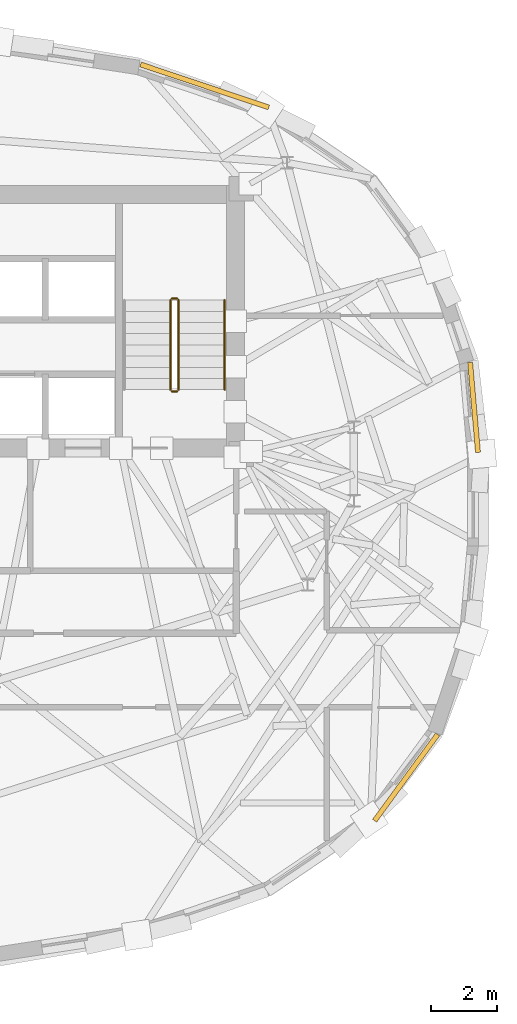
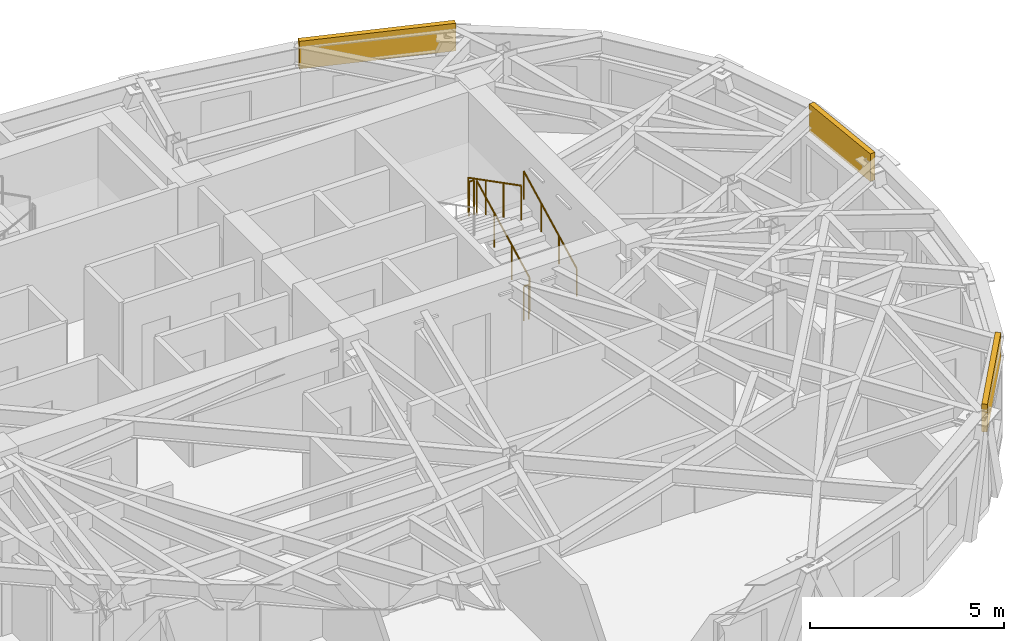
# One storey, part 12 of 12: 5 railings, 3 coverings.
"""IFC4 building model written with IfcOpenShell, lengths in metres."""

from ifc_helpers import new_model, si_unit, direction, frame, origin, origin_2d, place, context, subcontext, project, spatial, rectangle, circle, extrude, material, layer, layer_set, type_object, element, save


model = new_model("IFC4")

# Units and contexts
model_context = context("Model", 3, precision=1e-05, world=origin(), true_north=direction((0.0, 1.0)))
body_context = subcontext(model_context, "Body", "Model", "MODEL_VIEW")
ifc_project = project(units=[si_unit("LENGTHUNIT", "METRE"), si_unit("AREAUNIT", "SQUARE_METRE"), si_unit("VOLUMEUNIT", "CUBIC_METRE"), si_unit("PLANEANGLEUNIT", "RADIAN"), si_unit("MASSUNIT", "GRAM", prefix="KILO")], contexts=[model_context])

# Site, building, storey
site_placement = place(None, origin())
site = spatial("IfcSite", under=ifc_project, at=site_placement, CompositionType="ELEMENT")
building_placement = place(site_placement, origin())
building = spatial("IfcBuilding", under=site, at=building_placement, Name="Keldmark Tower", CompositionType="ELEMENT")
storey_placement = place(building_placement, frame((0.0, 0.0, 250.949951171875)))
storey = spatial("IfcBuildingStorey", under=building, at=storey_placement, Name="L71", CompositionType="ELEMENT", Elevation=250.949951171875)

# Coverings
ifc_material_1 = material(Name="Honed Kasota Buff Dolomitic Limestone", Category="masonry")
ifc_layer = layer(ifc_material_1, 0.074951171875)
ifc_layer_set = layer_set([ifc_layer], Name="Honed Kasota Buff Dolomitic Limestone")
covering_type = type_object("IfcCoveringType", Name="Kasota Buff Limestone Spandrel Cladding Band", PredefinedType="CLADDING", material=ifc_layer_set)
covering_1_placement = place(storey_placement, frame((20.67529296875, 2.813232421875, 2.260009765625), z_axis=(0.0, 0.0, 1.0), x_axis=(-0.086947098308, 0.996212930099, 0.0)))
element("IfcCovering", 1, at=covering_1_placement, inside=storey, type_object=covering_type, Name="L71 Kasota Limestone Spandrel Band 01", PredefinedType="CLADDING", context=body_context, shape_type="SweptSolid", body=[
    extrude(rectangle(XDim=2.743896484375, YDim=0.14990234375, at=origin_2d()), origin(), (0.0, 0.0, 1.0), 0.8701171875),
])
covering_2_placement = place(storey_placement, frame((12.494873046875, 12.575439453125, 2.260009765625), z_axis=(0.0, 0.0, 1.0), x_axis=(-0.948001964735, 0.318264473134, 0.0)))
element("IfcCovering", 2, at=covering_2_placement, inside=storey, type_object=covering_type, Name="L71 Kasota Limestone Spandrel Band 05", PredefinedType="CLADDING", context=body_context, shape_type="SweptSolid", body=[
    extrude(rectangle(XDim=4.107177734375, YDim=0.14990234375, at=origin_2d()), origin(), (0.0, 0.0, 1.0), 0.8701171875),
])
covering_3_placement = place(storey_placement, frame((18.6123046875, -8.4306640625, 2.260009765625), z_axis=(0.0, 0.0, 1.0), x_axis=(0.589746202085, 0.80758864351, 0.0)))
element("IfcCovering", 3, at=covering_3_placement, inside=storey, type_object=covering_type, Name="L71 Kasota Limestone Spandrel Band 29", PredefinedType="CLADDING", context=body_context, shape_type="SweptSolid", body=[
    extrude(rectangle(XDim=3.244384765625, YDim=0.14990234375, at=origin_2d()), origin(), (0.0, 0.0, 1.0), 0.8701171875),
])

# Railings
ifc_material_2 = material(Name="Painted Steel ASTM A500 Grade B", Category="steel")
railing_type_1 = type_object("IfcRailingType", Name="Painted Steel Stair Well Guard 1100 mm", PredefinedType="GUARDRAIL", material=ifc_material_2)
railing_1_placement = place(storey_placement, frame((11.699951171875, 3.35009765625, 0.175048828125)))
element("IfcRailing", 4, at=railing_1_placement, inside=storey, type_object=railing_type_1, Name="L71 ST2 stair guard 1", PredefinedType="GUARDRAIL", context=body_context, shape_type="SweptSolid", body=[
    extrude(circle(Radius=0.02392578125, at=origin_2d()), frame((0.0, 0.0, 1.076171875), z_axis=(0.0, 0.889146794209, 0.457622091194), x_axis=(-1.0, 0.0, 0.0)), (0.0, 0.0, 1.0), 3.05908203125),
    extrude(circle(Radius=0.02099609375, at=origin_2d()), origin(), (0.0, 0.0, 1.0), 1.052001953125),
    extrude(circle(Radius=0.02099609375, at=origin_2d()), frame((0.0, 0.90673828125, 0.466552734375)), (0.0, 0.0, 1.0), 1.052001953125),
    extrude(circle(Radius=0.02099609375, at=origin_2d()), frame((0.0, 1.813232421875, 0.933349609375)), (0.0, 0.0, 1.0), 1.052001953125),
    extrude(circle(Radius=0.02099609375, at=origin_2d()), frame((0.0, 2.719970703125, 1.39990234375)), (0.0, 0.0, 1.0), 1.052001953125),
])
railing_2_placement = place(storey_placement, frame((11.64990234375, 6.1201171875, 1.574951171875)))
element("IfcRailing", 5, at=railing_2_placement, inside=storey, type_object=railing_type_1, Name="L71 ST2 stair guard 2", PredefinedType="GUARDRAIL", context=body_context, shape_type="SweptSolid", body=[
    extrude(circle(Radius=0.02392578125, at=origin_2d()), frame((0.0, 0.0, 1.076171875), z_axis=(-1.0, 0.0, 0.0), x_axis=(0.0, -1.0, 0.0)), (0.0, 0.0, 1.0), 0.14990234375),
    extrude(circle(Radius=0.02099609375, at=origin_2d()), origin(), (0.0, 0.0, 1.0), 1.052001953125),
    extrude(circle(Radius=0.02099609375, at=origin_2d()), frame((-0.14990234375, 0.0, 0.0)), (0.0, 0.0, 1.0), 1.052001953125),
])
railing_3_placement = place(storey_placement, frame((11.449951171875, 6.070068359375, 1.75)))
element("IfcRailing", 6, at=railing_3_placement, inside=storey, type_object=railing_type_1, Name="L71 ST2 stair guard 3", PredefinedType="GUARDRAIL", context=body_context, shape_type="SweptSolid", body=[
    extrude(circle(Radius=0.02392578125, at=origin_2d()), frame((0.0, 0.0, 1.076171875), z_axis=(0.0, -0.889114319608, 0.457685182924), x_axis=(1.0, 0.0, 0.0)), (0.0, 0.0, 1.0), 3.05908203125),
    extrude(circle(Radius=0.02099609375, at=origin_2d()), origin(), (0.0, 0.0, 1.0), 1.052001953125),
    extrude(circle(Radius=0.02099609375, at=origin_2d()), frame((0.0, -0.90673828125, 0.466796875)), (0.0, 0.0, 1.0), 1.052001953125),
    extrude(circle(Radius=0.02099609375, at=origin_2d()), frame((0.0, -1.813232421875, 0.933349609375)), (0.0, 0.0, 1.0), 1.052001953125),
    extrude(circle(Radius=0.02099609375, at=origin_2d()), frame((0.0, -2.719970703125, 1.400146484375)), (0.0, 0.0, 1.0), 1.052001953125),
])
railing_4_placement = place(storey_placement, frame((11.64990234375, 3.300048828125, 0.0)))
element("IfcRailing", 7, at=railing_4_placement, inside=storey, type_object=railing_type_1, Name="L71 ST2 stair guard 4", PredefinedType="GUARDRAIL", context=body_context, shape_type="SweptSolid", body=[
    extrude(circle(Radius=0.02392578125, at=origin_2d()), frame((0.0, 0.0, 1.076171875), z_axis=(-1.0, 0.0, 0.0), x_axis=(0.0, -1.0, 0.0)), (0.0, 0.0, 1.0), 0.14990234375),
    extrude(circle(Radius=0.02099609375, at=origin_2d()), origin(), (0.0, 0.0, 1.0), 1.052001953125),
    extrude(circle(Radius=0.02099609375, at=origin_2d()), frame((-0.14990234375, 0.0, 0.0)), (0.0, 0.0, 1.0), 1.052001953125),
])
ifc_material_3 = material(Name="Stainless Steel AISI 316L", Category="steel")
railing_type_2 = type_object("IfcRailingType", Name="Stainless Steel Stair Handrail 900 mm", PredefinedType="HANDRAIL", material=ifc_material_3)
railing_5_placement = place(storey_placement, frame((13.10009765625, 3.35009765625, 0.175048828125)))
element("IfcRailing", 8, at=railing_5_placement, inside=storey, type_object=railing_type_2, Name="L71 ST2 stair handrail 1", PredefinedType="HANDRAIL", context=body_context, shape_type="SweptSolid", body=[
    extrude(circle(Radius=0.02392578125, at=origin_2d()), frame((0.0, 0.0, 0.8759765625), z_axis=(0.0, 0.889146794209, 0.457622091194), x_axis=(-1.0, 0.0, 0.0)), (0.0, 0.0, 1.0), 3.05908203125),
    extrude(circle(Radius=0.02099609375, at=origin_2d()), origin(), (0.0, 0.0, 1.0), 0.851806640625),
    extrude(circle(Radius=0.02099609375, at=origin_2d()), frame((0.0, 0.90673828125, 0.466552734375)), (0.0, 0.0, 1.0), 0.851806640625),
    extrude(circle(Radius=0.02099609375, at=origin_2d()), frame((0.0, 1.813232421875, 0.933349609375)), (0.0, 0.0, 1.0), 0.851806640625),
    extrude(circle(Radius=0.02099609375, at=origin_2d()), frame((0.0, 2.719970703125, 1.39990234375)), (0.0, 0.0, 1.0), 0.851806640625),
])

save(model, "model.ifc")
